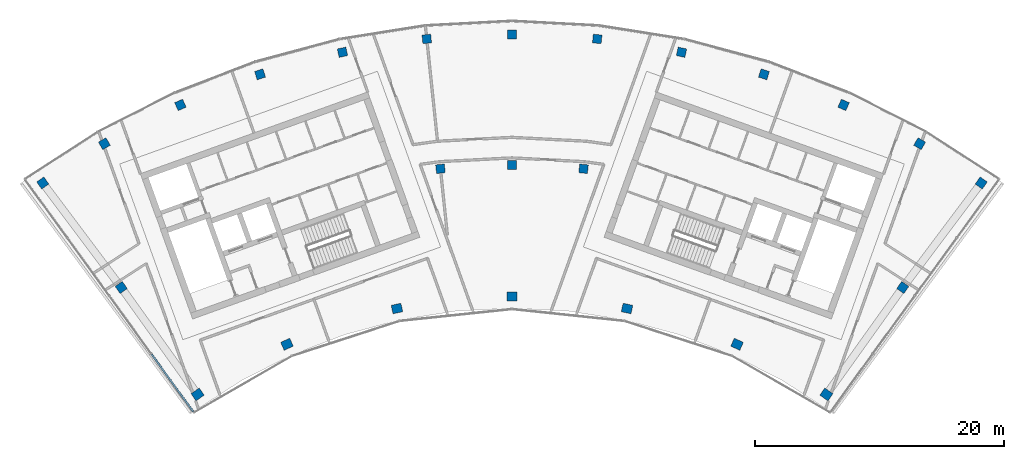
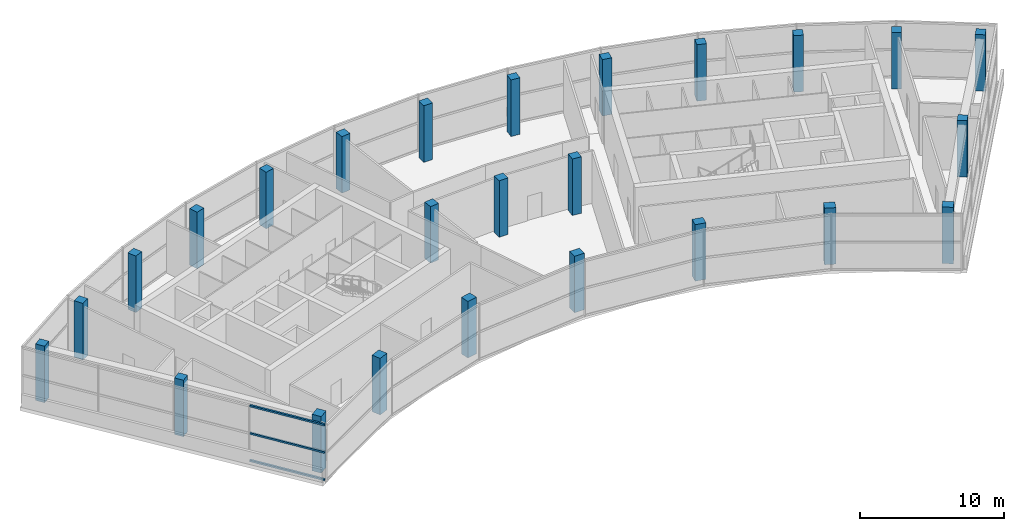
# One storey, part 1 of 13: 25 columns, 3 members, 1 element without a shape of its own.
"""IFC4 building model written with IfcOpenShell, lengths in metres."""

from ifc_helpers import new_model, si_unit, direction, frame, origin, origin_2d, place, context, subcontext, project, spatial, rectangle, extrude, material, layer, layer_set, material_profile, profile_set, type_object, element, aggregate, save


model = new_model("IFC4")

# Units and contexts
model_context = context("Model", 3, precision=1e-05, world=origin(), true_north=direction((0.0, 1.0)))
body_context = subcontext(model_context, "Body", "Model", "MODEL_VIEW")
ifc_project = project(units=[si_unit("LENGTHUNIT", "METRE"), si_unit("AREAUNIT", "SQUARE_METRE"), si_unit("VOLUMEUNIT", "CUBIC_METRE"), si_unit("PLANEANGLEUNIT", "RADIAN"), si_unit("MASSUNIT", "GRAM", prefix="KILO")], contexts=[model_context])

# Site, building, storey
site_placement = place(None, origin())
site = spatial("IfcSite", under=ifc_project, at=site_placement, CompositionType="ELEMENT")
building_placement = place(site_placement, origin())
building = spatial("IfcBuilding", under=site, at=building_placement, Name="Stone Belt Terrace Tower", CompositionType="ELEMENT")
storey_placement = place(building_placement, frame((0.0, 0.0, 332.60009765625)))
storey = spatial("IfcBuildingStorey", under=building, at=storey_placement, Name="L79", CompositionType="ELEMENT", Elevation=332.60009765625)

# Columns
ifc_material_1 = material(Name="Concrete B60", Category="concrete")
ifc_material_profile_1 = material_profile(ifc_material_1, rectangle(XDim=0.699951171875, YDim=0.699951171875, at=origin_2d()), Name="RC 700x700")
ifc_profile_set_1 = profile_set([ifc_material_profile_1], Name="Concrete B60")
column_type_1 = type_object("IfcColumnType", Name="Column RC 700x700 B60", PredefinedType="COLUMN", material=ifc_profile_set_1)
for number, where, z_axis, x_axis, name in (
    (1, (-31.388916015625, 45.16357421875, 0.0), (0.0, 0.0, 1.0), (0.821155185587, 0.570704968599, 0.0), "Column L79 QA"),
    (2, (-5.7490234375, 54.69873046875, 0.0), (0.0, 0.0, 1.0), (0.994521895368, 0.104528463268, 0.0), "Column L79 Q21"),
    (3, (0.0, 55.0, 0.0), (0.0, 0.0, 1.0), (1.0, 0.0, 0.0), "Column L79 Q22"),
    (4, (5.7490234375, 54.69873046875, 0.0), (0.0, 0.0, 1.0), (0.994521895368, -0.104528463268, 0.0), "Column L79 Q23"),
    (5, (31.388916015625, 45.16357421875, 0.0), (0.0, 0.0, 1.0), (0.821155185587, -0.570704968599, 0.0), "Column L79 QB"),
    (6, (-37.689208984375, 53.556640625, 0.0), (0.0, 0.0, 1.0), (0.817796305182, 0.575507778602, 0.0), "Column L79 RA"),
    (7, (-32.744384765625, 56.715087890625, 0.0), (0.0, 0.0, 1.0), (0.866025403784, 0.5, 0.0), "Column L79 R17"),
    (8, (-26.63671875, 59.8271484375, 0.0), (0.0, 0.0, 1.0), (0.913545457643, 0.406736643076, 0.0), "Column L79 R18"),
    (9, (-20.2373046875, 62.28369140625, 0.0), (0.0, 0.0, 1.0), (0.951056516295, 0.309016994375, 0.0), "Column L79 R19"),
    (10, (-13.615966796875, 64.057861328125, 0.0), (0.0, 0.0, 1.0), (0.978147600734, 0.207911690818, 0.0), "Column L79 R20"),
    (11, (-6.845458984375, 65.130126953125, 0.0), (0.0, 0.0, 1.0), (0.994521895368, 0.104528463268, 0.0), "Column L79 R21"),
    (12, (0.0, 65.489013671875, 0.0), (0.0, 0.0, 1.0), (1.0, 0.0, 0.0), "Column L79 R22"),
    (13, (6.845458984375, 65.130126953125, 0.0), (0.0, 0.0, 1.0), (0.994521895368, -0.104528463268, 0.0), "Column L79 R23"),
    (14, (13.615966796875, 64.057861328125, 0.0), (0.0, 0.0, 1.0), (0.978147600734, -0.207911690818, 0.0), "Column L79 R24"),
    (15, (20.2373046875, 62.28369140625, 0.0), (0.0, 0.0, 1.0), (0.951056516295, -0.309016994375, 0.0), "Column L79 R25"),
    (16, (26.63671875, 59.8271484375, 0.0), (0.0, 0.0, 1.0), (0.913545457643, -0.406736643076, 0.0), "Column L79 R26"),
    (17, (32.744384765625, 56.715087890625, 0.0), (0.0, 0.0, 1.0), (0.866025403784, -0.5, 0.0), "Column L79 R27"),
    (18, (37.689208984375, 53.556640625, 0.0), (0.0, 0.0, 1.0), (0.817796305182, -0.575507778602, 0.0), "Column L79 RB"),
):
    element("IfcColumn", number, at=place(storey_placement, frame(where, z_axis=z_axis, x_axis=x_axis)), inside=storey, type_object=column_type_1, Name=name, PredefinedType="COLUMN", context=body_context, shape_type="SweptSolid", body=[
        extrude(rectangle(XDim=0.699951171875, YDim=0.699951171875, at=origin_2d()), origin(), (0.0, 0.0, 1.0), 4.7998046875),
    ])
ifc_material_profile_2 = material_profile(ifc_material_1, rectangle(XDim=0.800048828125, YDim=0.699951171875, at=origin_2d()), Name="RC 800x700")
ifc_profile_set_2 = profile_set([ifc_material_profile_2], Name="Concrete B60")
column_type_2 = type_object("IfcColumnType", Name="Column RC 800x700 B60", PredefinedType="COLUMN", material=ifc_profile_set_2)
for number, where, z_axis, x_axis, name in (
    (19, (-25.25390625, 36.5732421875, 0.0), (0.0, 0.0, 1.0), (0.822886538204, 0.568205724402, 0.0), "Column L79 PA"),
    (20, (-18.077392578125, 40.6025390625, 0.0), (0.0, 0.0, 1.0), (0.913545457643, 0.406736643076, 0.0), "Column L79 P18"),
    (21, (-9.240478515625, 43.473876953125, 0.0), (0.0, 0.0, 1.0), (0.978147600734, 0.207911690818, 0.0), "Column L79 P20"),
    (22, (0.0, 44.445068359375, 0.0), (0.0, 0.0, 1.0), (1.0, 0.0, 0.0), "Column L79 P22"),
    (23, (9.240478515625, 43.473876953125, 0.0), (0.0, 0.0, 1.0), (0.978147600734, -0.207911690818, 0.0), "Column L79 P24"),
    (24, (18.077392578125, 40.6025390625, 0.0), (0.0, 0.0, 1.0), (0.913545457643, -0.406736643076, 0.0), "Column L79 P26"),
    (25, (25.25390625, 36.5732421875, 0.0), (0.0, 0.0, 1.0), (0.822886538204, -0.568205724402, 0.0), "Column L79 PB"),
):
    element("IfcColumn", number, at=place(storey_placement, frame(where, z_axis=z_axis, x_axis=x_axis)), inside=storey, type_object=column_type_2, Name=name, PredefinedType="COLUMN", context=body_context, shape_type="SweptSolid", body=[
        extrude(rectangle(XDim=0.800048828125, YDim=0.699951171875, at=origin_2d()), origin(), (0.0, 0.0, 1.0), 4.7998046875),
    ])

# Curtain wall, members
ifc_material_2 = material(Name="Aluminium 6063-T6 anodised frame", Category="aluminium")
ifc_layer = layer(ifc_material_2, 0.14990234375)
ifc_layer_set = layer_set([ifc_layer], Name="CW-F observation floor curtain wall")
curtain_wall_type = type_object("IfcCurtainWallType", Name="CW-F observation floor curtain wall", PredefinedType="NOTDEFINED", material=ifc_layer_set)
curtain_wall_placement = place(storey_placement, origin())
curtain_wall = element("IfcCurtainWall", 26, at=curtain_wall_placement, inside=storey, type_object=curtain_wall_type, Name="CW-F end face L79", PredefinedType="NOTDEFINED")
ifc_material_profile_3 = material_profile(ifc_material_2, rectangle(XDim=0.14990234375, YDim=0.14990234375, at=origin_2d()), Name="Aluminium 6063-T6 150x150")
ifc_profile_set_3 = profile_set([ifc_material_profile_3], Name="Aluminium 6063-T6 anodised frame")
member_type = type_object("IfcMemberType", Name="CW-F transom 150 x 150", PredefinedType="USERDEFINED", material=ifc_profile_set_3)
member_1_placement = place(storey_placement, frame((-28.947021484375, 39.802001953125, 0.074951171875), z_axis=(0.586942332435, -0.809628741088, 0.0), x_axis=(0.809628741088, 0.586942332435, 0.0)))
member_1 = element("IfcMember", 27, at=member_1_placement, type_object=member_type, Name="CW-F transom 4.1", ObjectType="TRANSOM", PredefinedType="USERDEFINED", context=body_context, shape_type="SweptSolid", body=[
    extrude(rectangle(XDim=0.14990234375, YDim=0.14990234375, at=origin_2d()), origin(), (0.0, 0.0, 1.0), 5.70654296875),
])
member_2_placement = place(storey_placement, frame((-28.947021484375, 39.802001953125, 2.39990234375), z_axis=(0.586942332435, -0.809628741088, 0.0), x_axis=(0.809628741088, 0.586942332435, 0.0)))
member_2 = element("IfcMember", 28, at=member_2_placement, type_object=member_type, Name="CW-F transom 4.2", ObjectType="TRANSOM", PredefinedType="USERDEFINED", context=body_context, shape_type="SweptSolid", body=[
    extrude(rectangle(XDim=0.14990234375, YDim=0.14990234375, at=origin_2d()), origin(), (0.0, 0.0, 1.0), 5.70654296875),
])
member_3_placement = place(storey_placement, frame((-28.947021484375, 39.802001953125, 4.724853515625), z_axis=(0.586942332435, -0.809628741088, 0.0), x_axis=(0.809628741088, 0.586942332435, 0.0)))
member_3 = element("IfcMember", 29, at=member_3_placement, type_object=member_type, Name="CW-F transom 4.3", ObjectType="TRANSOM", PredefinedType="USERDEFINED", context=body_context, shape_type="SweptSolid", body=[
    extrude(rectangle(XDim=0.14990234375, YDim=0.14990234375, at=origin_2d()), origin(), (0.0, 0.0, 1.0), 5.70654296875),
])
aggregate(curtain_wall, [member_1, member_2, member_3])

save(model, "model.ifc")
